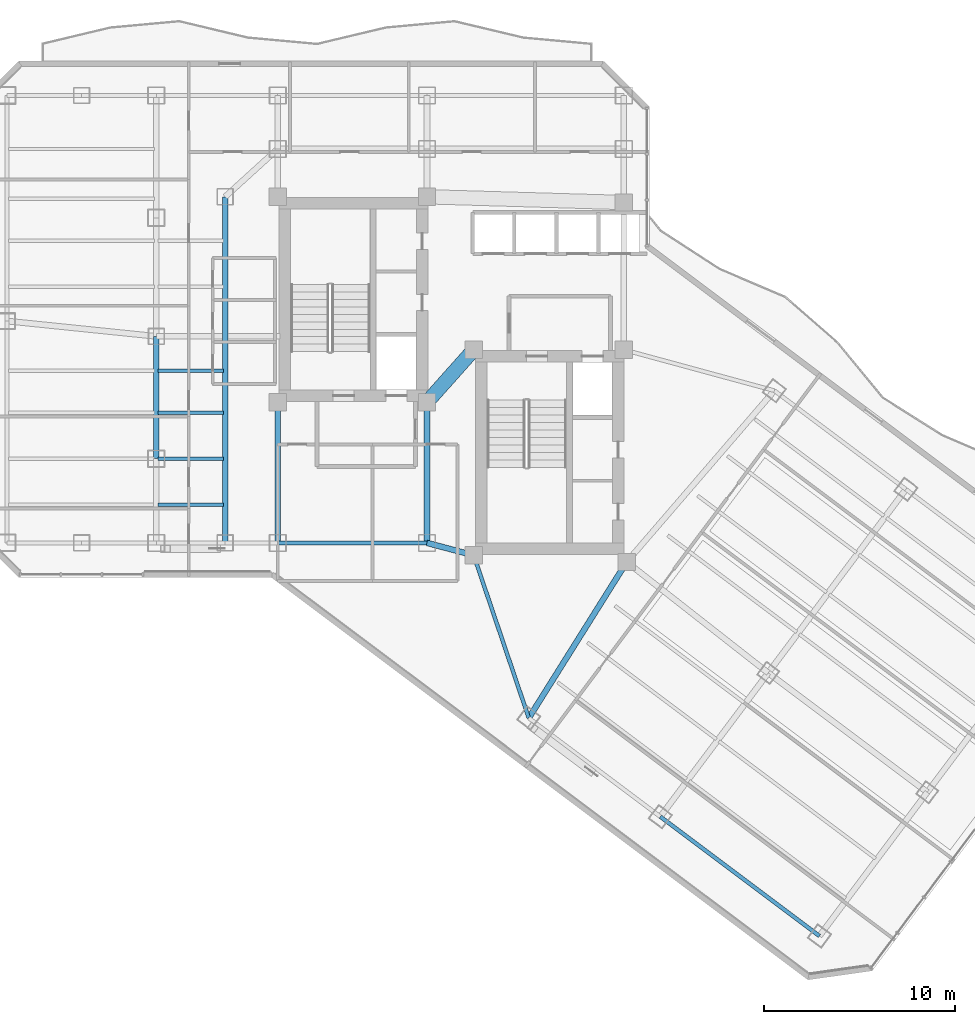
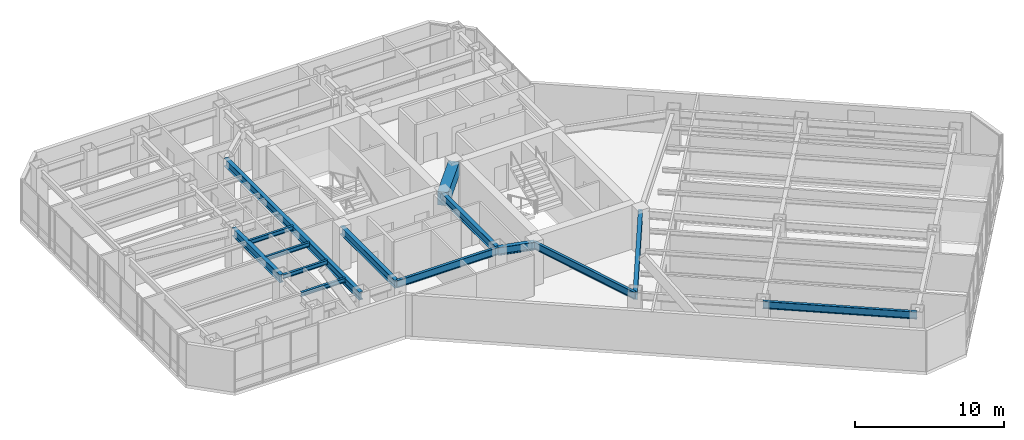
# One storey, part 5 of 31: 14 beams.
"""IFC4 building model written with IfcOpenShell, lengths in metres."""

from ifc_helpers import new_model, si_unit, direction, frame, origin, origin_2d, place, context, subcontext, project, spatial, rectangle, i_section, extrude, material, material_profile, profile_set, type_object, element, save


model = new_model("IFC4")

# Units and contexts
model_context = context("Model", 3, precision=1e-05, world=origin(), true_north=direction((0.0, 1.0)))
body_context = subcontext(model_context, "Body", "Model", "MODEL_VIEW")
ifc_project = project(units=[si_unit("LENGTHUNIT", "METRE"), si_unit("AREAUNIT", "SQUARE_METRE"), si_unit("VOLUMEUNIT", "CUBIC_METRE"), si_unit("PLANEANGLEUNIT", "RADIAN"), si_unit("MASSUNIT", "GRAM", prefix="KILO")], contexts=[model_context])

# Site, building, storey
site_placement = place(None, origin())
site = spatial("IfcSite", under=ifc_project, at=site_placement, CompositionType="ELEMENT")
building_placement = place(site_placement, origin())
building = spatial("IfcBuilding", under=site, at=building_placement, Name="Hatsunagi Terrace Concourse", CompositionType="ELEMENT")
storey_placement = place(building_placement, frame((0.0, 0.0, 112.050048828125)))
storey = spatial("IfcBuildingStorey", under=building, at=storey_placement, Name="L29", CompositionType="ELEMENT", Elevation=112.050048828125)

# Beams
ifc_material_1 = material(Name="Concrete Fc48", Category="concrete")
ifc_material_profile_1 = material_profile(ifc_material_1, rectangle(XDim=0.75, YDim=1.10009765625, at=origin_2d()), Name="RC-750x1100")
ifc_profile_set_1 = profile_set([ifc_material_profile_1], Name="Concrete Fc48")
beam_type_1 = type_object("IfcBeamType", Name="CoreCouplingBeam_RC_750x1100", PredefinedType="BEAM", material=ifc_profile_set_1)
beam_1_placement = place(storey_placement, frame((33.35009765625, 32.550048828125, 2.800048828125), z_axis=(0.665198651008, 0.746666427997, 0.0), x_axis=(-0.746666427997, 0.665198651008, 0.0)))
element("IfcBeam", 1, at=beam_1_placement, inside=storey, type_object=beam_type_1, Name="Beam CB-02 CB-L29-1", PredefinedType="BEAM", context=body_context, shape_type="SweptSolid", body=[
    extrude(rectangle(XDim=0.75, YDim=1.10009765625, at=origin_2d()), origin(), (0.0, 0.0, 1.0), 3.68310546875),
])
ifc_material_2 = material(Name="Steel SN490B", Category="steel")
ifc_material_profile_2 = material_profile(ifc_material_2, i_section(OverallWidth=0.175048828125, OverallDepth=0.35009765625, WebThickness=0.007080078125, FlangeThickness=0.010986328125, FilletRadius=0.012939453125, at=origin_2d()), Name="H-350x175x7x11")
ifc_profile_set_2 = profile_set([ifc_material_profile_2], Name="Steel SN490B")
beam_type_2 = type_object("IfcBeamType", Name="HotelJoist_H_350x175", PredefinedType="JOIST", material=ifc_profile_set_2)
for number, where, z_axis, x_axis, name in (
    (2, (19.284912109375, 27.199951171875, 3.175048828125), (1.0, 0.0, 0.0), (0.0, 1.0, 0.0), "Beam J-02 J-L29-W-19-272"),
    (3, (19.284912109375, 29.60009765625, 3.175048828125), (1.0, 0.0, 0.0), (0.0, 1.0, 0.0), "Beam J-02 J-L29-W-19-296"),
    (4, (19.284912109375, 32.0, 3.175048828125), (1.0, 0.0, 0.0), (0.0, 1.0, 0.0), "Beam J-02 J-L29-W-19-320"),
    (5, (19.284912109375, 34.199951171875, 3.175048828125), (1.0, 0.0, 0.0), (0.0, 1.0, 0.0), "Beam J-02 J-L29-W-19-342"),
):
    element("IfcBeam", number, at=place(storey_placement, frame(where, z_axis=z_axis, x_axis=x_axis)), inside=storey, type_object=beam_type_2, Name=name, PredefinedType="JOIST", context=body_context, shape_type="SweptSolid", body=[
        extrude(i_section(OverallWidth=0.175048828125, OverallDepth=0.35009765625, WebThickness=0.007080078125, FlangeThickness=0.010986328125, FilletRadius=0.012939453125, at=origin_2d()), origin(), (0.0, 0.0, 1.0), 3.43017578125),
    ])
ifc_material_3 = material(Name="Steel SN490B", Category="steel")
ifc_material_profile_3 = material_profile(ifc_material_3, i_section(OverallWidth=0.300048828125, OverallDepth=0.64990234375, WebThickness=0.012939453125, FlangeThickness=0.02197265625, FilletRadius=0.01806640625, at=origin_2d()), Name="H-650x300x13x22")
ifc_profile_set_3 = profile_set([ifc_material_profile_3], Name="Steel SN490B")
beam_type_3 = type_object("IfcBeamType", Name="OfficeLowGirder_H_650x300", PredefinedType="BEAM", material=ifc_profile_set_3)
for number, where, z_axis, x_axis, name in (
    (6, (25.550048828125, 25.199951171875, 3.02490234375), (0.0, 1.0, 0.0), (-1.0, 0.0, 0.0), "Beam G-05 BM-L29-K1CA"),
    (7, (33.35009765625, 25.199951171875, 3.02490234375), (0.0, 1.0, 0.0), (-1.0, 0.0, 0.0), "Beam G-05 BM-L29-K2CA"),
):
    element("IfcBeam", number, at=place(storey_placement, frame(where, z_axis=z_axis, x_axis=x_axis)), inside=storey, type_object=beam_type_3, Name=name, PredefinedType="BEAM", context=body_context, shape_type="SweptSolid", body=[
        extrude(i_section(OverallWidth=0.300048828125, OverallDepth=0.64990234375, WebThickness=0.012939453125, FlangeThickness=0.02197265625, FilletRadius=0.01806640625, at=origin_2d()), origin(), (0.0, 0.0, 1.0), 7.35009765625),
    ])
beam_2_placement = place(storey_placement, frame((33.35009765625, 25.199951171875, 3.02490234375), z_axis=(0.966569840116, -0.256403479262, 0.0), x_axis=(0.256403479262, 0.966569840116, 0.0)))
element("IfcBeam", 8, at=beam_2_placement, inside=storey, type_object=beam_type_3, Name="Beam G-05 BM-L29-K2CB", PredefinedType="BEAM", context=body_context, shape_type="SweptSolid", body=[
    extrude(i_section(OverallWidth=0.300048828125, OverallDepth=0.64990234375, WebThickness=0.012939453125, FlangeThickness=0.02197265625, FilletRadius=0.01806640625, at=origin_2d()), origin(), (0.0, 0.0, 1.0), 2.53466796875),
])
beam_3_placement = place(storey_placement, frame((22.800048828125, 25.199951171875, 3.02490234375), z_axis=(0.0, 1.0, 0.0), x_axis=(-1.0, 0.0, 0.0)))
element("IfcBeam", 9, at=beam_3_placement, inside=storey, type_object=beam_type_3, Name="Beam G-05 BM-L29-CWNS", PredefinedType="BEAM", context=body_context, shape_type="SweptSolid", body=[
    extrude(i_section(OverallWidth=0.300048828125, OverallDepth=0.64990234375, WebThickness=0.012939453125, FlangeThickness=0.02197265625, FilletRadius=0.01806640625, at=origin_2d()), origin(), (0.0, 0.0, 1.0), 18.10009765625),
])
beam_4_placement = place(storey_placement, frame((19.199951171875, 29.60009765625, 3.02490234375), z_axis=(0.0, 1.0, 0.0), x_axis=(-1.0, 0.0, 0.0)))
element("IfcBeam", 10, at=beam_4_placement, inside=storey, type_object=beam_type_3, Name="Beam G-05 BM-L29-NS-19-29", PredefinedType="BEAM", context=body_context, shape_type="SweptSolid", body=[
    extrude(i_section(OverallWidth=0.300048828125, OverallDepth=0.64990234375, WebThickness=0.012939453125, FlangeThickness=0.02197265625, FilletRadius=0.01806640625, at=origin_2d()), origin(), (0.0, 0.0, 1.0), 6.39990234375),
])
beam_5_placement = place(storey_placement, frame((38.679931640625, 16.0400390625, 3.02490234375), z_axis=(0.531503907049, 0.847055840421, 0.0), x_axis=(-0.847055840421, 0.531503907049, 0.0)))
element("IfcBeam", 11, at=beam_5_placement, inside=storey, type_object=beam_type_3, Name="Beam G-05 BM-L29-SET-1A", PredefinedType="BEAM", context=body_context, shape_type="SweptSolid", body=[
    extrude(i_section(OverallWidth=0.300048828125, OverallDepth=0.64990234375, WebThickness=0.012939453125, FlangeThickness=0.02197265625, FilletRadius=0.01806640625, at=origin_2d()), origin(), (0.0, 0.0, 1.0), 9.63330078125),
])
ifc_material_4 = material(Name="Steel SN490B", Category="steel")
ifc_material_profile_4 = material_profile(ifc_material_4, i_section(OverallWidth=0.199951171875, OverallDepth=0.60009765625, WebThickness=0.010986328125, FlangeThickness=0.01708984375, FilletRadius=0.01806640625, at=origin_2d()), Name="H-600x200x11x17")
ifc_profile_set_4 = profile_set([ifc_material_profile_4], Name="Steel SN490B")
beam_type_4 = type_object("IfcBeamType", Name="PerimeterSpandrel_H_600x200", PredefinedType="SPANDREL", material=ifc_profile_set_4)
beam_6_placement = place(storey_placement, frame((25.550048828125, 25.199951171875, 3.050048828125), z_axis=(1.0, 0.0, 0.0), x_axis=(0.0, 1.0, 0.0)))
element("IfcBeam", 12, at=beam_6_placement, inside=storey, type_object=beam_type_4, Name="Beam SP-01 BM-L29-WS-25", PredefinedType="SPANDREL", context=body_context, shape_type="SweptSolid", body=[
    extrude(i_section(OverallWidth=0.199951171875, OverallDepth=0.60009765625, WebThickness=0.010986328125, FlangeThickness=0.01708984375, FilletRadius=0.01806640625, at=origin_2d()), origin(), (0.0, 0.0, 1.0), 7.800048828125),
])
beam_7_placement = place(storey_placement, frame((35.800048828125, 24.550048828125, 3.050048828125), z_axis=(0.320553412271, -0.947230441805, 0.0), x_axis=(0.947230441805, 0.320553412271, 0.0)))
element("IfcBeam", 13, at=beam_7_placement, inside=storey, type_object=beam_type_4, Name="Beam SP-01 BM-L29-SE-SW0", PredefinedType="SPANDREL", context=body_context, shape_type="SweptSolid", body=[
    extrude(i_section(OverallWidth=0.199951171875, OverallDepth=0.60009765625, WebThickness=0.010986328125, FlangeThickness=0.01708984375, FilletRadius=0.01806640625, at=origin_2d()), origin(), (0.0, 0.0, 1.0), 8.984130859375),
])
beam_8_placement = place(storey_placement, frame((45.56005859375, 10.8798828125, 3.050048828125), z_axis=(0.799994365871, -0.600007512099, 0.0), x_axis=(0.600007512099, 0.799994365871, 0.0)))
element("IfcBeam", 14, at=beam_8_placement, inside=storey, type_object=beam_type_4, Name="Beam SP-01 BM-L29-SE-SW3", PredefinedType="SPANDREL", context=body_context, shape_type="SweptSolid", body=[
    extrude(i_section(OverallWidth=0.199951171875, OverallDepth=0.60009765625, WebThickness=0.010986328125, FlangeThickness=0.01708984375, FilletRadius=0.01806640625, at=origin_2d()), origin(), (0.0, 0.0, 1.0), 10.39990234375),
])

save(model, "model.ifc")
